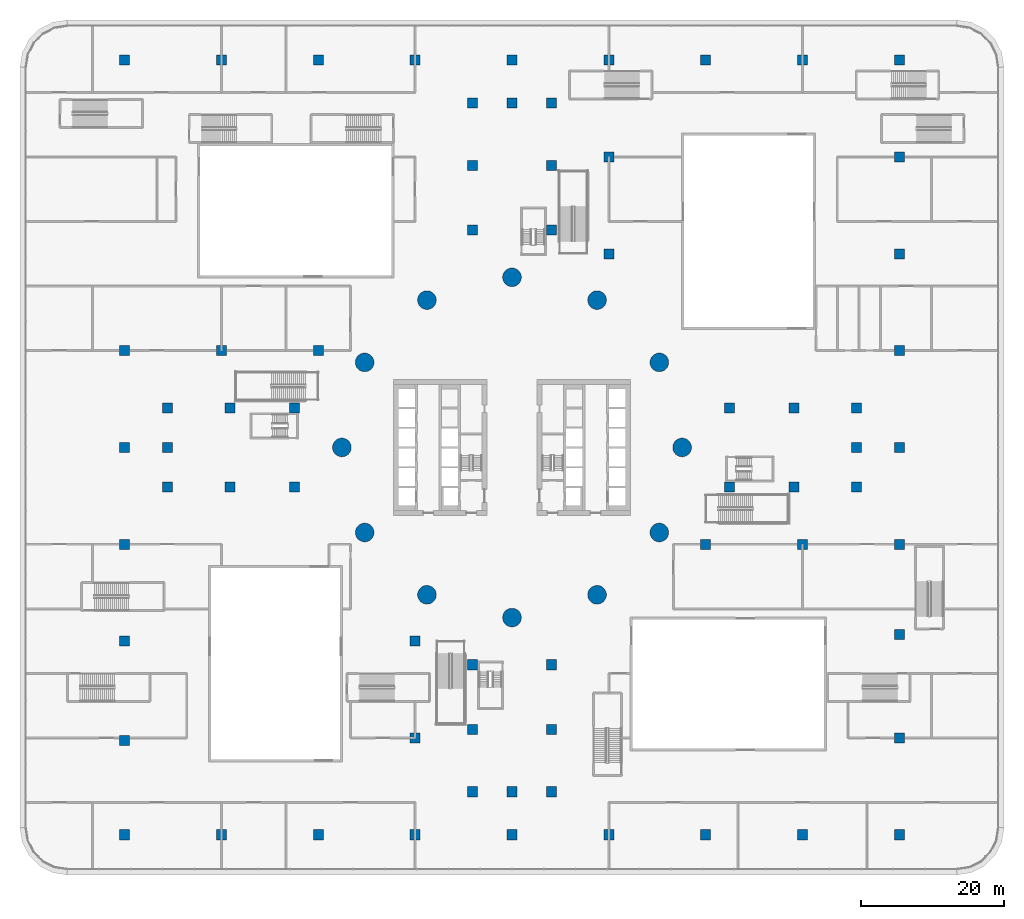
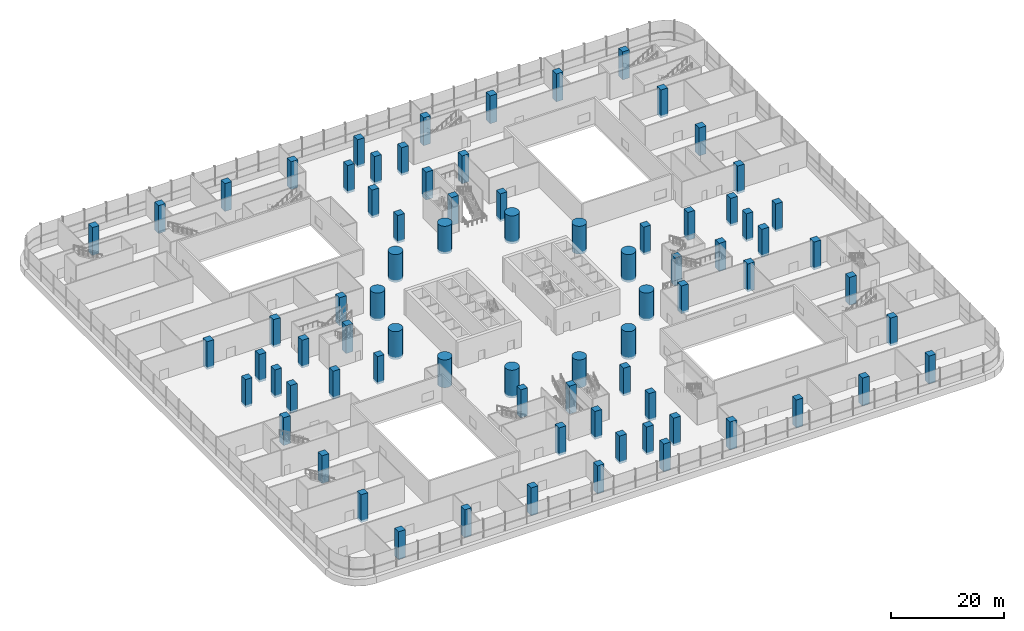
# One storey, part 1 of 52: 78 columns.
"""IFC4 building model written with IfcOpenShell, lengths in metres."""

from ifc_helpers import new_model, si_unit, direction, frame, origin, origin_2d, place, context, subcontext, project, spatial, rectangle, circle, extrude, material, material_profile, profile_set, type_object, element, save


model = new_model("IFC4")

# Units and contexts
model_context = context("Model", 3, precision=1e-05, world=origin(), true_north=direction((0.0, 1.0)))
body_context = subcontext(model_context, "Body", "Model", "MODEL_VIEW")
ifc_project = project(units=[si_unit("LENGTHUNIT", "METRE"), si_unit("AREAUNIT", "SQUARE_METRE"), si_unit("VOLUMEUNIT", "CUBIC_METRE"), si_unit("PLANEANGLEUNIT", "RADIAN"), si_unit("MASSUNIT", "GRAM", prefix="KILO")], contexts=[model_context])

# Site, building, storey
site_placement = place(None, origin())
site = spatial("IfcSite", under=ifc_project, at=site_placement, CompositionType="ELEMENT")
building_placement = place(site_placement, origin())
building = spatial("IfcBuilding", under=site, at=building_placement, Name="Tamarind Cross Interchange Tower", CompositionType="ELEMENT")
storey_placement = place(building_placement, frame((0.0, 0.0, 9.0)))
storey = spatial("IfcBuildingStorey", under=building, at=storey_placement, Name="L01", CompositionType="ELEMENT", Elevation=9.0)

# Columns
ifc_material = material(Name="Concrete C80", Category="concrete")
ifc_material_profile_1 = material_profile(ifc_material, rectangle(XDim=1.39990234375, YDim=1.39990234375, at=origin_2d()), Name="RC 1400x1400")
ifc_profile_set_1 = profile_set([ifc_material_profile_1], Name="Concrete C80")
column_type_1 = type_object("IfcColumnType", Name="Column RC 1400x1400 Concrete C80", PredefinedType="COLUMN", material=ifc_profile_set_1)
for number, where, z_axis, x_axis, name in (
    (1, (39.300048828125, 5.5, -0.5), (0.0, 0.0, 1.0), (1.0, 0.0, 0.0), "Column E.ep0"),
    (2, (39.300048828125, -5.5, -0.5), (0.0, 0.0, 1.0), (1.0, 0.0, 0.0), "Column E.em0"),
    (3, (30.300048828125, 5.5, -0.5), (0.0, 0.0, 1.0), (1.0, 0.0, 0.0), "Column E.ep1"),
    (4, (30.300048828125, -5.5, -0.5), (0.0, 0.0, 1.0), (1.0, 0.0, 0.0), "Column E.em1"),
    (5, (48.007568359375, -5.5, -0.5), (0.0, 0.0, 1.0), (1.0, 0.0, 0.0), "Column E.t0"),
    (6, (48.007568359375, 0.0, -0.5), (0.0, 0.0, 1.0), (1.0, 0.0, 0.0), "Column E.t1"),
    (7, (48.007568359375, 5.5, -0.5), (0.0, 0.0, 1.0), (1.0, 0.0, 0.0), "Column E.t2"),
    (8, (-5.5, 39.300048828125, -0.5), (0.0, 0.0, 1.0), (1.0, 0.0, 0.0), "Column N.ep0"),
    (9, (5.5, 39.300048828125, -0.5), (0.0, 0.0, 1.0), (1.0, 0.0, 0.0), "Column N.em0"),
    (10, (-5.5, 30.300048828125, -0.5), (0.0, 0.0, 1.0), (1.0, 0.0, 0.0), "Column N.ep1"),
    (11, (5.5, 30.300048828125, -0.5), (0.0, 0.0, 1.0), (1.0, 0.0, 0.0), "Column N.em1"),
    (12, (5.5, 48.007568359375, -0.5), (0.0, 0.0, 1.0), (1.0, 0.0, 0.0), "Column N.t0"),
    (13, (0.0, 48.007568359375, -0.5), (0.0, 0.0, 1.0), (1.0, 0.0, 0.0), "Column N.t1"),
    (14, (-5.5, 48.007568359375, -0.5), (0.0, 0.0, 1.0), (1.0, 0.0, 0.0), "Column N.t2"),
    (15, (-39.300048828125, -5.5, -0.5), (0.0, 0.0, 1.0), (1.0, 0.0, 0.0), "Column W.ep0"),
    (16, (-39.300048828125, 5.5, -0.5), (0.0, 0.0, 1.0), (1.0, 0.0, 0.0), "Column W.em0"),
    (17, (-30.300048828125, -5.5, -0.5), (0.0, 0.0, 1.0), (1.0, 0.0, 0.0), "Column W.ep1"),
    (18, (-30.300048828125, 5.5, -0.5), (0.0, 0.0, 1.0), (1.0, 0.0, 0.0), "Column W.em1"),
    (19, (-48.007568359375, 5.5, -0.5), (0.0, 0.0, 1.0), (1.0, 0.0, 0.0), "Column W.t0"),
    (20, (-48.007568359375, 0.0, -0.5), (0.0, 0.0, 1.0), (1.0, 0.0, 0.0), "Column W.t1"),
    (21, (-48.007568359375, -5.5, -0.5), (0.0, 0.0, 1.0), (1.0, 0.0, 0.0), "Column W.t2"),
    (22, (5.5, -39.300048828125, -0.5), (0.0, 0.0, 1.0), (1.0, 0.0, 0.0), "Column S.ep0"),
    (23, (-5.5, -39.300048828125, -0.5), (0.0, 0.0, 1.0), (1.0, 0.0, 0.0), "Column S.em0"),
    (24, (5.5, -30.300048828125, -0.5), (0.0, 0.0, 1.0), (1.0, 0.0, 0.0), "Column S.ep1"),
    (25, (-5.5, -30.300048828125, -0.5), (0.0, 0.0, 1.0), (1.0, 0.0, 0.0), "Column S.em1"),
    (26, (-5.5, -48.007568359375, -0.5), (0.0, 0.0, 1.0), (1.0, 0.0, 0.0), "Column S.t0"),
    (27, (0.0, -48.007568359375, -0.5), (0.0, 0.0, 1.0), (1.0, 0.0, 0.0), "Column S.t1"),
    (28, (5.5, -48.007568359375, -0.5), (0.0, 0.0, 1.0), (1.0, 0.0, 0.0), "Column S.t2"),
    (29, (-54.0, -54.0, -0.5), (0.0, 0.0, 1.0), (1.0, 0.0, 0.0), "Column G01"),
    (30, (-54.0, -40.85009765625, -0.5), (0.0, 0.0, 1.0), (1.0, 0.0, 0.0), "Column G02"),
    (31, (-54.0, -27.0, -0.5), (0.0, 0.0, 1.0), (1.0, 0.0, 0.0), "Column G03"),
    (32, (-54.0, -13.5, -0.5), (0.0, 0.0, 1.0), (1.0, 0.0, 0.0), "Column G04"),
    (33, (-54.0, 0.0, -0.5), (0.0, 0.0, 1.0), (1.0, 0.0, 0.0), "Column G05"),
    (34, (-54.0, 13.5, -0.5), (0.0, 0.0, 1.0), (1.0, 0.0, 0.0), "Column G06"),
    (35, (-54.0, 54.0, -0.5), (0.0, 0.0, 1.0), (1.0, 0.0, 0.0), "Column G07"),
    (36, (-40.5, -54.0, -0.5), (0.0, 0.0, 1.0), (1.0, 0.0, 0.0), "Column G08"),
    (37, (-40.5, 13.5, -0.5), (0.0, 0.0, 1.0), (1.0, 0.0, 0.0), "Column G09"),
    (38, (-40.5, 54.0, -0.5), (0.0, 0.0, 1.0), (1.0, 0.0, 0.0), "Column G10"),
    (39, (-27.0, -54.0, -0.5), (0.0, 0.0, 1.0), (1.0, 0.0, 0.0), "Column G11"),
    (40, (-27.0, 13.5, -0.5), (0.0, 0.0, 1.0), (1.0, 0.0, 0.0), "Column G12"),
    (41, (-27.0, 54.0, -0.5), (0.0, 0.0, 1.0), (1.0, 0.0, 0.0), "Column G13"),
    (42, (-13.5, -54.0, -0.5), (0.0, 0.0, 1.0), (1.0, 0.0, 0.0), "Column G14"),
    (43, (-13.5, -40.5, -0.5), (0.0, 0.0, 1.0), (1.0, 0.0, 0.0), "Column G15"),
    (44, (-13.5, -27.0, -0.5), (0.0, 0.0, 1.0), (1.0, 0.0, 0.0), "Column G16"),
    (45, (-13.5, 54.0, -0.5), (0.0, 0.0, 1.0), (1.0, 0.0, 0.0), "Column G17"),
    (46, (0.0, -54.0, -0.5), (0.0, 0.0, 1.0), (1.0, 0.0, 0.0), "Column G18"),
    (47, (0.0, 54.0, -0.5), (0.0, 0.0, 1.0), (1.0, 0.0, 0.0), "Column G19"),
    (48, (13.5, -54.0, -0.5), (0.0, 0.0, 1.0), (1.0, 0.0, 0.0), "Column G20"),
    (49, (13.5, 27.0, -0.5), (0.0, 0.0, 1.0), (1.0, 0.0, 0.0), "Column G21"),
    (50, (13.5, 40.5, -0.5), (0.0, 0.0, 1.0), (1.0, 0.0, 0.0), "Column G22"),
    (51, (13.5, 54.0, -0.5), (0.0, 0.0, 1.0), (1.0, 0.0, 0.0), "Column G23"),
    (52, (27.0, -54.0, -0.5), (0.0, 0.0, 1.0), (1.0, 0.0, 0.0), "Column G24"),
    (53, (27.0, -13.5, -0.5), (0.0, 0.0, 1.0), (1.0, 0.0, 0.0), "Column G25"),
    (54, (27.0, 54.0, -0.5), (0.0, 0.0, 1.0), (1.0, 0.0, 0.0), "Column G26"),
    (55, (40.5, -54.0, -0.5), (0.0, 0.0, 1.0), (1.0, 0.0, 0.0), "Column G27"),
    (56, (40.5, -13.5, -0.5), (0.0, 0.0, 1.0), (1.0, 0.0, 0.0), "Column G28"),
    (57, (40.5, 54.0, -0.5), (0.0, 0.0, 1.0), (1.0, 0.0, 0.0), "Column G29"),
    (58, (54.0, -54.0, -0.5), (0.0, 0.0, 1.0), (1.0, 0.0, 0.0), "Column G30"),
    (59, (54.0, -40.5, -0.5), (0.0, 0.0, 1.0), (1.0, 0.0, 0.0), "Column G31"),
    (60, (54.0, -26.050048828125, -0.5), (0.0, 0.0, 1.0), (1.0, 0.0, 0.0), "Column G32"),
    (61, (54.0, -13.5, -0.5), (0.0, 0.0, 1.0), (1.0, 0.0, 0.0), "Column G33"),
    (62, (54.0, 0.0, -0.5), (0.0, 0.0, 1.0), (1.0, 0.0, 0.0), "Column G34"),
    (63, (54.0, 13.5, -0.5), (0.0, 0.0, 1.0), (1.0, 0.0, 0.0), "Column G35"),
    (64, (54.0, 27.0, -0.5), (0.0, 0.0, 1.0), (1.0, 0.0, 0.0), "Column G36"),
    (65, (54.0, 40.5, -0.5), (0.0, 0.0, 1.0), (1.0, 0.0, 0.0), "Column G37"),
    (66, (54.0, 54.0, -0.5), (0.0, 0.0, 1.0), (1.0, 0.0, 0.0), "Column G38"),
):
    element("IfcColumn", number, at=place(storey_placement, frame(where, z_axis=z_axis, x_axis=x_axis)), inside=storey, type_object=column_type_1, Name=name, PredefinedType="COLUMN", context=body_context, shape_type="SweptSolid", body=[
        extrude(rectangle(XDim=1.39990234375, YDim=1.39990234375, at=origin_2d()), origin(), (0.0, 0.0, 1.0), 6.0),
    ])
ifc_material_profile_2 = material_profile(ifc_material, circle(Radius=1.300048828125, at=origin_2d()), Name="RC D2600")
ifc_profile_set_2 = profile_set([ifc_material_profile_2], Name="Concrete C80")
column_type_2 = type_object("IfcColumnType", Name="Column RC D2600 Concrete C80", PredefinedType="COLUMN", material=ifc_profile_set_2)
for number, where, z_axis, x_axis, name in (
    (67, (23.720703125, 0.0, -0.5), (0.0, 0.0, 1.0), (1.0, 0.0, 0.0), "Ring column R01"),
    (68, (20.542724609375, 11.8603515625, -0.5), (0.0, 0.0, 1.0), (1.0, 0.0, 0.0), "Ring column R02"),
    (69, (11.8603515625, 20.542724609375, -0.5), (0.0, 0.0, 1.0), (1.0, 0.0, 0.0), "Ring column R03"),
    (70, (0.0, 23.720703125, -0.5), (0.0, 0.0, 1.0), (1.0, 0.0, 0.0), "Ring column R04"),
    (71, (-11.8603515625, 20.542724609375, -0.5), (0.0, 0.0, 1.0), (1.0, 0.0, 0.0), "Ring column R05"),
    (72, (-20.542724609375, 11.8603515625, -0.5), (0.0, 0.0, 1.0), (1.0, 0.0, 0.0), "Ring column R06"),
    (73, (-23.720703125, 0.0, -0.5), (0.0, 0.0, 1.0), (1.0, 0.0, 0.0), "Ring column R07"),
    (74, (-20.542724609375, -11.8603515625, -0.5), (0.0, 0.0, 1.0), (1.0, 0.0, 0.0), "Ring column R08"),
    (75, (-11.8603515625, -20.542724609375, -0.5), (0.0, 0.0, 1.0), (1.0, 0.0, 0.0), "Ring column R09"),
    (76, (0.0, -23.720703125, -0.5), (0.0, 0.0, 1.0), (1.0, 0.0, 0.0), "Ring column R10"),
    (77, (11.8603515625, -20.542724609375, -0.5), (0.0, 0.0, 1.0), (1.0, 0.0, 0.0), "Ring column R11"),
    (78, (20.542724609375, -11.8603515625, -0.5), (0.0, 0.0, 1.0), (1.0, 0.0, 0.0), "Ring column R12"),
):
    element("IfcColumn", number, at=place(storey_placement, frame(where, z_axis=z_axis, x_axis=x_axis)), inside=storey, type_object=column_type_2, Name=name, PredefinedType="COLUMN", context=body_context, shape_type="SweptSolid", body=[
        extrude(circle(Radius=1.300048828125, at=origin_2d()), origin(), (0.0, 0.0, 1.0), 6.0),
    ])

save(model, "model.ifc")
